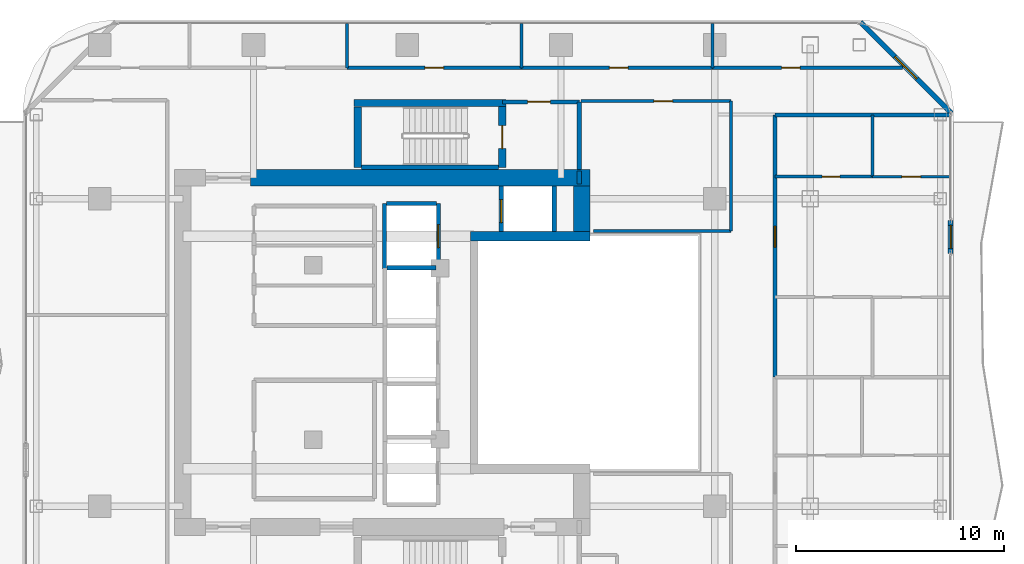
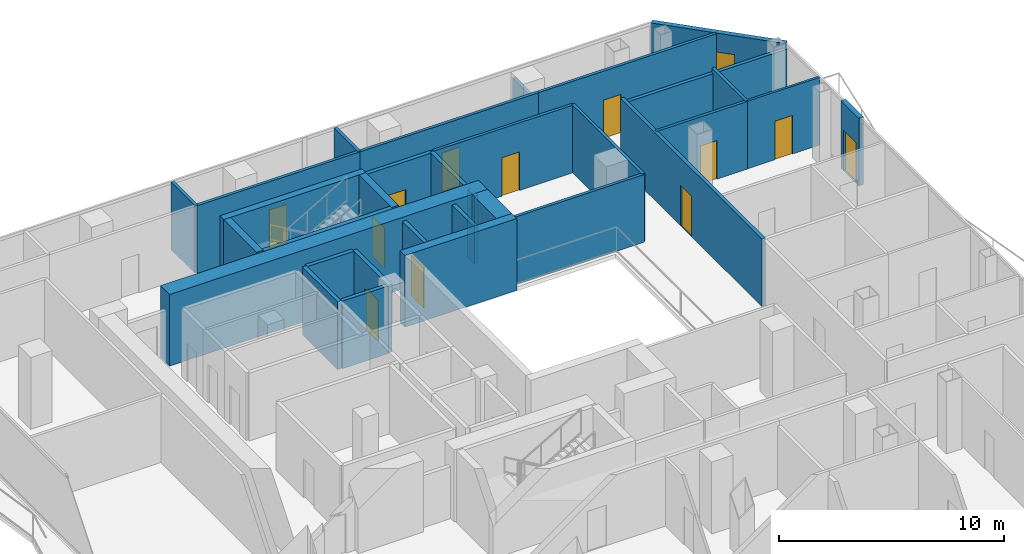
# One storey, part 23 of 27: 32 walls, 12 doors, 1 window, 13 openings.
"""IFC4 building model written with IfcOpenShell, lengths in metres."""

from ifc_helpers import new_model, si_unit, direction, frame, frame_2d, origin, place, context, subcontext, project, spatial, rectangle, extrude, material, layer, layer_set, type_object, element, fill, save


model = new_model("IFC4")

# Units and contexts
model_context = context("Model", 3, precision=1e-05, world=origin(), true_north=direction((0.0, 1.0)))
body_context = subcontext(model_context, "Body", "Model", "MODEL_VIEW")
ifc_project = project(units=[si_unit("LENGTHUNIT", "METRE"), si_unit("AREAUNIT", "SQUARE_METRE"), si_unit("VOLUMEUNIT", "CUBIC_METRE"), si_unit("PLANEANGLEUNIT", "RADIAN"), si_unit("MASSUNIT", "GRAM", prefix="KILO")], contexts=[model_context])

# Site, building, storey
site_placement = place(None, origin())
site = spatial("IfcSite", under=ifc_project, at=site_placement, CompositionType="ELEMENT")
building_placement = place(site_placement, origin())
building = spatial("IfcBuilding", under=site, at=building_placement, Name="Khorvyn Point Tower", CompositionType="ELEMENT")
storey_placement = place(building_placement, frame((0.0, 0.0, 227.39990234375)))
storey = spatial("IfcBuildingStorey", under=building, at=storey_placement, Name="L56", CompositionType="ELEMENT", Elevation=227.39990234375)

# Wall, opening, door
ifc_material_1 = material(Name="Double acoustic gypsum on twin steel stud", Category="steel")
ifc_layer_1 = layer(ifc_material_1, 0.179931640625)
ifc_layer_set_1 = layer_set([ifc_layer_1], Name="Acoustic Double-Stud Apartment Demising Wall 180")
wall_type_1 = type_object("IfcWallType", Name="Acoustic Double-Stud Apartment Demising Wall 180", PredefinedType="PARTITIONING", material=ifc_layer_set_1)
wall_1_placement = place(storey_placement, frame((17.699951171875, -1.193115234375, 0.0), z_axis=(0.0, 0.0, 1.0), x_axis=(0.0, 1.0, 0.0)))
wall_1 = element("IfcWall", 1, at=wall_1_placement, inside=storey, type_object=wall_type_1, Name="Wall", PredefinedType="PARTITIONING", context=body_context, shape_type="SweptSolid", body=[
    extrude(rectangle(XDim=12.623046875, YDim=0.179931640625, at=frame_2d((6.3115234375, 0.0))), origin(), (0.0, 0.0, 1.0), 3.68017578125),
])
opening_1_placement = place(wall_1_placement, frame((6.260009765625, 0.0, 0.0)))
opening_1 = element("IfcOpeningElement", 2, at=opening_1_placement, cuts=wall_1, Name="Opening ID-AP60", PredefinedType="OPENING", context=body_context, shape_type="SweptSolid", body=[
    extrude(rectangle(XDim=1.0, YDim=2.199951171875, at=frame_2d((0.5, 1.10009765625))), frame((0.0, 0.099853515625, 0.0), z_axis=(0.0, -1.0, 0.0), x_axis=(1.0, 0.0, 0.0)), (0.0, 0.0, 1.0), 0.199951171875),
])
ifc_material_2 = material(Name="Engineered hardwood fire-rated leaf", Category="wood")
door_type_1 = type_object("IfcDoorType", Name="Acoustic Solid-Core Timber Apartment Entrance Door 1000x2200", OperationType="NOTDEFINED", PredefinedType="DOOR", material=ifc_material_2)
door_1_placement = place(opening_1_placement, origin())
door_1 = element("IfcDoor", 3, at=door_1_placement, inside=storey, type_object=door_type_1, Name="Door", OperationType="SINGLE_SWING_RIGHT", OverallHeight=2.199951171875, OverallWidth=1.0, PredefinedType="DOOR", context=body_context, shape_type="SweptSolid", body=[
    extrude(rectangle(XDim=1.0, YDim=2.199951171875, at=frame_2d((0.5, 1.10009765625))), frame((0.0, 0.02490234375, 0.0), z_axis=(0.0, -1.0, 0.0), x_axis=(1.0, 0.0, 0.0)), (0.0, 0.0, 1.0), 0.050048828125),
])
fill(opening_1, door_1)

# Wall
wall_2_placement = place(storey_placement, frame((17.699951171875, 11.429931640625, 0.0), z_axis=(0.0, 0.0, 1.0), x_axis=(1.0, 0.0, 0.0)))
element("IfcWall", 4, at=wall_2_placement, inside=storey, type_object=wall_type_1, Name="Wall", PredefinedType="PARTITIONING", context=body_context, shape_type="SweptSolid", body=[
    extrude(rectangle(XDim=8.429931640625, YDim=0.179931640625, at=frame_2d((4.21484375, 0.0))), origin(), (0.0, 0.0, 1.0), 3.420166015625),
])

# Wall, opening, door
ifc_material_3 = material(Name="Pale anodised aluminium rainscreen on steel stud", Category="steel")
ifc_layer_2 = layer(ifc_material_3, 0.239990234375)
ifc_layer_set_2 = layer_set([ifc_layer_2], Name="Anodised Aluminium Insulated Corner Spandrel Wall 240")
wall_type_2 = type_object("IfcWallType", Name="Anodised Aluminium Insulated Corner Spandrel Wall 240", PredefinedType="SOLIDWALL", material=ifc_layer_set_2)
wall_3_placement = place(storey_placement, frame((26.14990234375, 6.35205078125, 0.0), z_axis=(0.0, 0.0, 1.0), x_axis=(0.0, -1.0, 0.0)))
wall_3 = element("IfcWall", 5, at=wall_3_placement, inside=storey, type_object=wall_type_2, Name="L56 East Outdoor Threshold Wall", PredefinedType="SOLIDWALL", context=body_context, shape_type="SweptSolid", body=[
    extrude(rectangle(XDim=1.580078125, YDim=0.239990234375, at=frame_2d((0.7900390625, 0.0))), origin(), (0.0, 0.0, 1.0), 3.68017578125),
])
opening_2_placement = place(wall_3_placement, frame((0.239990234375, 0.0, 0.0)))
opening_2 = element("IfcOpeningElement", 6, at=opening_2_placement, cuts=wall_3, Name="Opening BD-1122", PredefinedType="OPENING", context=body_context, shape_type="SweptSolid", body=[
    extrude(rectangle(XDim=1.10009765625, YDim=2.199951171875, at=frame_2d((0.550048828125, 1.10009765625))), frame((0.0, 0.1298828125, 0.0), z_axis=(0.0, -1.0, 0.0), x_axis=(1.0, 0.0, 0.0)), (0.0, 0.0, 1.0), 0.260009765625),
])
ifc_material_4 = material(Name="Anodised aluminium 6063-T6 and laminated Low-E glass", Category="aluminium")
door_type_2 = type_object("IfcDoorType", Name="Glazed Balcony and Terrace Threshold Door 1100x2200", OperationType="NOTDEFINED", PredefinedType="DOOR", material=ifc_material_4)
door_2_placement = place(opening_2_placement, origin())
door_2 = element("IfcDoor", 7, at=door_2_placement, inside=storey, type_object=door_type_2, Name="L56 East Glazed Balcony Outdoor Door", OperationType="SINGLE_SWING_LEFT", OverallHeight=2.199951171875, OverallWidth=1.10009765625, PredefinedType="DOOR", context=body_context, shape_type="SweptSolid", body=[
    extrude(rectangle(XDim=1.10009765625, YDim=2.199951171875, at=frame_2d((0.550048828125, 1.10009765625))), frame((0.0, 0.02490234375, 0.0), z_axis=(0.0, -1.0, 0.0), x_axis=(1.0, 0.0, 0.0)), (0.0, 0.0, 1.0), 0.050048828125),
])
fill(opening_2, door_2)

# Wall, opening, window
wall_4_placement = place(storey_placement, frame((21.8076171875, 15.892333984375, 0.0), z_axis=(0.0, 0.0, 1.0), x_axis=(0.707106781187, -0.707106781187, 0.0)))
wall_4 = element("IfcWall", 8, at=wall_4_placement, inside=storey, type_object=wall_type_2, Name="L56 Rounded Corner Wall NE", PredefinedType="SOLIDWALL", context=body_context, shape_type="SweptSolid", body=[
    extrude(rectangle(XDim=6.200927734375, YDim=0.239990234375, at=frame_2d((3.1005859375, 0.0))), origin(), (0.0, 0.0, 1.0), 3.68017578125),
])
opening_3_placement = place(wall_4_placement, frame((2.3505859375, 0.0, 0.800048828125)))
opening_3 = element("IfcOpeningElement", 9, at=opening_3_placement, cuts=wall_4, Name="Opening WN-1518", PredefinedType="OPENING", context=body_context, shape_type="SweptSolid", body=[
    extrude(rectangle(XDim=1.5, YDim=1.85009765625, at=frame_2d((0.75, 0.925048828125))), frame((0.0, 0.1298828125, 0.0), z_axis=(0.0, -1.0, 0.0), x_axis=(1.0, 0.0, 0.0)), (0.0, 0.0, 1.0), 0.260009765625),
])
window_type = type_object("IfcWindowType", Name="Anodised Aluminium Rounded-Corner Panoramic Window 1500x1850", PartitioningType="SINGLE_PANEL", PredefinedType="WINDOW", material=ifc_material_4)
window_placement = place(opening_3_placement, origin())
window = element("IfcWindow", 10, at=window_placement, inside=storey, type_object=window_type, Name="L56 Corner Panoramic Window NE", OverallHeight=1.85009765625, OverallWidth=1.5, PartitioningType="SINGLE_PANEL", PredefinedType="WINDOW", context=body_context, shape_type="SweptSolid", body=[
    extrude(rectangle(XDim=1.5, YDim=1.85009765625, at=frame_2d((0.75, 0.925048828125))), frame((0.0, 0.030029296875, 0.0), z_axis=(0.0, -1.0, 0.0), x_axis=(1.0, 0.0, 0.0)), (0.0, 0.0, 1.0), 0.06005859375),
])
fill(opening_3, window)

# Wall
ifc_material_5 = material(Name="Concrete C40/50", Category="concrete")
ifc_layer_3 = layer(ifc_material_5, 0.449951171875)
ifc_layer_set_3 = layer_set([ifc_layer_3], Name="Concrete C40/50 Core Shear Wall 450")
wall_type_3 = type_object("IfcWallType", Name="Concrete C40/50 Core Shear Wall 450", PredefinedType="SHEAR", material=ifc_layer_set_3)
wall_5_placement = place(storey_placement, frame((3.044921875, 5.60009765625, 0.0), z_axis=(0.0, 0.0, 1.0), x_axis=(1.0, 0.0, 0.0)))
element("IfcWall", 11, at=wall_5_placement, inside=storey, type_object=wall_type_3, Name="Wall", PredefinedType="SHEAR", context=body_context, shape_type="SweptSolid", body=[
    extrude(rectangle(XDim=5.755126953125, YDim=0.449951171875, at=frame_2d((2.87744140625, 0.0))), origin(), (0.0, 0.0, 1.0), 3.900146484375),
])

# Wall, opening, door
ifc_layer_4 = layer(ifc_material_5, 0.199951171875)
ifc_layer_set_4 = layer_set([ifc_layer_4], Name="Concrete C40/50 Fire-Lobby Compartment Wall 200")
wall_type_4 = type_object("IfcWallType", Name="Concrete C40/50 Fire-Lobby Compartment Wall 200", PredefinedType="SOLIDWALL", material=ifc_layer_set_4)
wall_6_placement = place(storey_placement, frame((4.580078125, 12.06005859375, 0.0), z_axis=(0.0, 0.0, 1.0), x_axis=(1.0, 0.0, 0.0)))
wall_6 = element("IfcWall", 12, at=wall_6_placement, inside=storey, type_object=wall_type_4, Name="Wall", PredefinedType="SOLIDWALL", context=body_context, shape_type="SweptSolid", body=[
    extrude(rectangle(XDim=3.699951171875, YDim=0.199951171875, at=frame_2d((1.85009765625, 0.0))), origin(), (0.0, 0.0, 1.0), 3.68017578125),
])
opening_4_placement = place(wall_6_placement, frame((1.21240234375, 0.0, 0.0)))
opening_4 = element("IfcOpeningElement", 13, at=opening_4_placement, cuts=wall_6, Name="Opening ID-FL90", PredefinedType="OPENING", context=body_context, shape_type="SweptSolid", body=[
    extrude(rectangle(XDim=1.10009765625, YDim=2.14990234375, at=frame_2d((0.550048828125, 1.074951171875))), frame((0.0, 0.10986328125, 0.0), z_axis=(0.0, -1.0, 0.0), x_axis=(1.0, 0.0, 0.0)), (0.0, 0.0, 1.0), 0.219970703125),
])
ifc_material_6 = material(Name="Galvanised powder-coated steel", Category="steel")
door_type_3 = type_object("IfcDoorType", Name="Fire-Rated Steel Lobby and Stair Door 1100x2150", OperationType="NOTDEFINED", PredefinedType="DOOR", material=ifc_material_6)
door_3_placement = place(opening_4_placement, origin())
door_3 = element("IfcDoor", 14, at=door_3_placement, inside=storey, type_object=door_type_3, Name="Door", OperationType="SINGLE_SWING_RIGHT", OverallHeight=2.14990234375, OverallWidth=1.10009765625, PredefinedType="DOOR", context=body_context, shape_type="SweptSolid", body=[
    extrude(rectangle(XDim=1.10009765625, YDim=2.14990234375, at=frame_2d((0.550048828125, 1.074951171875))), frame((0.0, 0.02490234375, 0.0), z_axis=(0.0, -1.0, 0.0), x_axis=(1.0, 0.0, 0.0)), (0.0, 0.0, 1.0), 0.050048828125),
])
fill(opening_4, door_3)

# Walls
wall_7_placement = place(storey_placement, frame((8.280029296875, 8.800048828125, 0.0), z_axis=(0.0, 0.0, 1.0), x_axis=(0.0, 1.0, 0.0)))
element("IfcWall", 15, at=wall_7_placement, inside=storey, type_object=wall_type_4, Name="Wall", PredefinedType="SOLIDWALL", context=body_context, shape_type="SweptSolid", body=[
    extrude(rectangle(XDim=3.260009765625, YDim=0.199951171875, at=frame_2d((1.6298828125, 0.0))), origin(), (0.0, 0.0, 1.0), 3.68017578125),
])
wall_8_placement = place(storey_placement, frame((8.280029296875, 8.10009765625, 0.0), z_axis=(0.0, 0.0, 1.0), x_axis=(0.0, 1.0, 0.0)))
element("IfcWall", 16, at=wall_8_placement, inside=storey, type_object=wall_type_4, Name="Wall", PredefinedType="SOLIDWALL", context=body_context, shape_type="SweptSolid", body=[
    extrude(rectangle(XDim=0.625, YDim=0.199951171875, at=frame_2d((0.3125, 0.0))), origin(), (0.0, 0.0, 1.0), 3.68017578125),
])
ifc_layer_5 = layer(ifc_material_5, 0.25)
ifc_layer_set_5 = layer_set([ifc_layer_5], Name="Concrete C40/50 Stair Inner Cheek Structural Wall 250")
wall_type_5 = type_object("IfcWallType", Name="Concrete C40/50 Stair Inner Cheek Structural Wall 250", PredefinedType="SHEAR", material=ifc_layer_set_5)
wall_9_placement = place(storey_placement, frame((-2.199951171875, 8.91259765625, 0.0), z_axis=(0.0, 0.0, 1.0), x_axis=(1.0, 0.0, 0.0)))
element("IfcWall", 17, at=wall_9_placement, inside=storey, type_object=wall_type_5, Name="Wall", PredefinedType="SHEAR", context=body_context, shape_type="SweptSolid", body=[
    extrude(rectangle(XDim=6.599853515625, YDim=0.22509765625, at=frame_2d((3.2998046875, 0.0))), origin(), (0.0, 0.0, 1.0), 3.900146484375),
])
ifc_layer_6 = layer(ifc_material_5, 0.35009765625)
ifc_layer_set_6 = layer_set([ifc_layer_6], Name="Concrete C40/50 Stair Shaft Structural Wall 350")
wall_type_6 = type_object("IfcWallType", Name="Concrete C40/50 Stair Shaft Structural Wall 350", PredefinedType="SHEAR", material=ifc_layer_set_6)
wall_10_placement = place(storey_placement, frame((-2.554931640625, 12.0, 0.0), z_axis=(0.0, 0.0, 1.0), x_axis=(1.0, 0.0, 0.0)))
element("IfcWall", 18, at=wall_10_placement, inside=storey, type_object=wall_type_6, Name="L56 ST-02 North Shaft Wall", PredefinedType="SHEAR", context=body_context, shape_type="SweptSolid", body=[
    extrude(rectangle(XDim=7.309814453125, YDim=0.35009765625, at=frame_2d((3.65478515625, 0.0))), origin(), (0.0, 0.0, 1.0), 3.900146484375),
])
wall_11_placement = place(storey_placement, frame((-2.3798828125, 8.89990234375, 0.0), z_axis=(0.0, 0.0, 1.0), x_axis=(0.0, 1.0, 0.0)))
element("IfcWall", 19, at=wall_11_placement, inside=storey, type_object=wall_type_6, Name="L56 ST-02 West Shaft Wall", PredefinedType="SHEAR", context=body_context, shape_type="SweptSolid", body=[
    extrude(rectangle(XDim=2.925048828125, YDim=0.35009765625, at=frame_2d((1.46240234375, 0.0))), origin(), (0.0, 0.0, 1.0), 3.900146484375),
])

# Wall, opening, door
wall_12_placement = place(storey_placement, frame((4.580078125, 11.824951171875, 0.0), z_axis=(0.0, 0.0, 1.0), x_axis=(0.0, -1.0, 0.0)))
wall_12 = element("IfcWall", 20, at=wall_12_placement, inside=storey, type_object=wall_type_6, Name="L56 ST-02 East Landing Door Wall", PredefinedType="SHEAR", context=body_context, shape_type="SweptSolid", body=[
    extrude(rectangle(XDim=2.925048828125, YDim=0.35009765625, at=frame_2d((1.46240234375, 0.0))), origin(), (0.0, 0.0, 1.0), 3.900146484375),
])
opening_5_placement = place(wall_12_placement, frame((0.91259765625, 0.0, 0.0)))
opening_5 = element("IfcOpeningElement", 21, at=opening_5_placement, cuts=wall_12, Name="Opening ID-FL90", PredefinedType="OPENING", context=body_context, shape_type="SweptSolid", body=[
    extrude(rectangle(XDim=1.10009765625, YDim=2.14990234375, at=frame_2d((0.550048828125, 1.074951171875))), frame((0.0, 0.18505859375, 0.0), z_axis=(0.0, -1.0, 0.0), x_axis=(1.0, 0.0, 0.0)), (0.0, 0.0, 1.0), 0.3701171875),
])
door_4_placement = place(opening_5_placement, origin())
door_4 = element("IfcDoor", 22, at=door_4_placement, inside=storey, type_object=door_type_3, Name="L56 ST-02 Smokeproof Landing Door", OperationType="SINGLE_SWING_LEFT", OverallHeight=2.14990234375, OverallWidth=1.10009765625, PredefinedType="DOOR", context=body_context, shape_type="SweptSolid", body=[
    extrude(rectangle(XDim=1.10009765625, YDim=2.14990234375, at=frame_2d((0.550048828125, 1.074951171875))), frame((0.0, 0.02490234375, 0.0), z_axis=(0.0, -1.0, 0.0), x_axis=(1.0, 0.0, 0.0)), (0.0, 0.0, 1.0), 0.050048828125),
])
fill(opening_5, door_4)

# Walls
ifc_layer_7 = layer(ifc_material_5, 0.199951171875)
ifc_layer_set_7 = layer_set([ifc_layer_7], Name="Concrete C40/50 Structural Hoistway and Stair Shaft Wall 200")
wall_type_7 = type_object("IfcWallType", Name="Concrete C40/50 Structural Hoistway and Stair Shaft Wall 200", PredefinedType="SHEAR", material=ifc_layer_set_7)
wall_13_placement = place(storey_placement, frame((-0.97509765625, 4.074951171875, 0.0), z_axis=(0.0, 0.0, 1.0), x_axis=(1.0, 0.0, 0.0)))
element("IfcWall", 23, at=wall_13_placement, inside=storey, type_object=wall_type_7, Name="Wall", PredefinedType="SHEAR", context=body_context, shape_type="SweptSolid", body=[
    extrude(rectangle(XDim=2.35009765625, YDim=0.199951171875, at=frame_2d((1.175048828125, 0.0))), origin(), (0.0, 0.0, 1.0), 3.68017578125),
])
wall_14_placement = place(storey_placement, frame((-1.10009765625, 4.02490234375, 0.0), z_axis=(0.0, 0.0, 1.0), x_axis=(0.0, 1.0, 0.0)))
element("IfcWall", 24, at=wall_14_placement, inside=storey, type_object=wall_type_7, Name="Wall", PredefinedType="SHEAR", context=body_context, shape_type="SweptSolid", body=[
    extrude(rectangle(XDim=3.150146484375, YDim=0.199951171875, at=frame_2d((1.5751953125, 0.0))), origin(), (0.0, 0.0, 1.0), 3.68017578125),
])

# Wall, opening, door
wall_15_placement = place(storey_placement, frame((1.5, 4.02490234375, 0.0), z_axis=(0.0, 0.0, 1.0), x_axis=(0.0, 1.0, 0.0)))
wall_15 = element("IfcWall", 25, at=wall_15_placement, inside=storey, type_object=wall_type_7, Name="Wall", PredefinedType="SHEAR", context=body_context, shape_type="SweptSolid", body=[
    extrude(rectangle(XDim=3.150146484375, YDim=0.199951171875, at=frame_2d((1.5751953125, 0.0))), origin(), (0.0, 0.0, 1.0), 3.68017578125),
])
opening_6_placement = place(wall_15_placement, frame((1.02490234375, 0.0, 0.0)))
opening_6 = element("IfcOpeningElement", 26, at=opening_6_placement, cuts=wall_15, Name="Opening LD-1122", PredefinedType="OPENING", context=body_context, shape_type="SweptSolid", body=[
    extrude(rectangle(XDim=1.10009765625, YDim=2.199951171875, at=frame_2d((0.550048828125, 1.10009765625))), frame((0.0, 0.10986328125, 0.0), z_axis=(0.0, -1.0, 0.0), x_axis=(1.0, 0.0, 0.0)), (0.0, 0.0, 1.0), 0.219970703125),
])
ifc_material_7 = material(Name="Stainless steel 1.4301", Category="steel")
door_type_4 = type_object("IfcDoorType", Name="Stainless Steel Automatic Sliding Lift Landing Door 1100x2200", OperationType="SLIDING_TO_LEFT", PredefinedType="DOOR", material=ifc_material_7)
door_5_placement = place(opening_6_placement, origin())
door_5 = element("IfcDoor", 27, at=door_5_placement, inside=storey, type_object=door_type_4, Name="L56 SV-01 Sliding Lift Landing Door", OperationType="SLIDING_TO_LEFT", OverallHeight=2.199951171875, OverallWidth=1.10009765625, PredefinedType="DOOR", context=body_context, shape_type="SweptSolid", body=[
    extrude(rectangle(XDim=1.10009765625, YDim=2.199951171875, at=frame_2d((0.550048828125, 1.10009765625))), frame((0.0, 0.02490234375, 0.0), z_axis=(0.0, -1.0, 0.0), x_axis=(1.0, 0.0, 0.0)), (0.0, 0.0, 1.0), 0.050048828125),
])
fill(opening_6, door_5)

# Wall
wall_16_placement = place(storey_placement, frame((-1.0, 7.175048828125, 0.0), z_axis=(0.0, 0.0, 1.0), x_axis=(1.0, 0.0, 0.0)))
element("IfcWall", 28, at=wall_16_placement, inside=storey, type_object=wall_type_7, Name="Wall", PredefinedType="SHEAR", context=body_context, shape_type="SweptSolid", body=[
    extrude(rectangle(XDim=2.39990234375, YDim=0.199951171875, at=frame_2d((1.199951171875, 0.0))), origin(), (0.0, 0.0, 1.0), 3.68017578125),
])

# Wall, opening, door
wall_17_placement = place(storey_placement, frame((4.52490234375, 5.824951171875, 0.0), z_axis=(0.0, 0.0, 1.0), x_axis=(0.0, 1.0, 0.0)))
wall_17 = element("IfcWall", 29, at=wall_17_placement, inside=storey, type_object=wall_type_7, Name="Wall", PredefinedType="SHEAR", context=body_context, shape_type="SweptSolid", body=[
    extrude(rectangle(XDim=2.175048828125, YDim=0.199951171875, at=frame_2d((1.08740234375, 0.0))), origin(), (0.0, 0.0, 1.0), 3.68017578125),
])
opening_7_placement = place(wall_17_placement, frame((0.425048828125, 0.0, 0.0)))
opening_7 = element("IfcOpeningElement", 30, at=opening_7_placement, cuts=wall_17, Name="Opening LD-1122", PredefinedType="OPENING", context=body_context, shape_type="SweptSolid", body=[
    extrude(rectangle(XDim=1.10009765625, YDim=2.199951171875, at=frame_2d((0.550048828125, 1.10009765625))), frame((0.0, 0.10986328125, 0.0), z_axis=(0.0, -1.0, 0.0), x_axis=(1.0, 0.0, 0.0)), (0.0, 0.0, 1.0), 0.219970703125),
])
door_6_placement = place(opening_7_placement, origin())
door_6 = element("IfcDoor", 31, at=door_6_placement, inside=storey, type_object=door_type_4, Name="L56 FF-02 Sliding Lift Landing Door", OperationType="SLIDING_TO_LEFT", OverallHeight=2.199951171875, OverallWidth=1.10009765625, PredefinedType="DOOR", context=body_context, shape_type="SweptSolid", body=[
    extrude(rectangle(XDim=1.10009765625, YDim=2.199951171875, at=frame_2d((0.550048828125, 1.10009765625))), frame((0.0, 0.02490234375, 0.0), z_axis=(0.0, -1.0, 0.0), x_axis=(1.0, 0.0, 0.0)), (0.0, 0.0, 1.0), 0.050048828125),
])
fill(opening_7, door_6)

# Walls
wall_18_placement = place(storey_placement, frame((7.074951171875, 5.824951171875, 0.0), z_axis=(0.0, 0.0, 1.0), x_axis=(0.0, 1.0, 0.0)))
element("IfcWall", 32, at=wall_18_placement, inside=storey, type_object=wall_type_7, Name="Wall", PredefinedType="SHEAR", context=body_context, shape_type="SweptSolid", body=[
    extrude(rectangle(XDim=2.175048828125, YDim=0.199951171875, at=frame_2d((1.08740234375, 0.0))), origin(), (0.0, 0.0, 1.0), 3.68017578125),
])
ifc_material_8 = material(Name="Concrete C45/55", Category="concrete")
ifc_layer_8 = layer(ifc_material_8, 0.800048828125)
ifc_layer_set_8 = layer_set([ifc_layer_8], Name="Concrete C45/55 Core Shear Wall 800")
wall_type_8 = type_object("IfcWallType", Name="Concrete C45/55 Core Shear Wall 800", PredefinedType="SHEAR", material=ifc_layer_set_8)
wall_19_placement = place(storey_placement, frame((-7.550048828125, 8.39990234375, 0.0), z_axis=(0.0, 0.0, 1.0), x_axis=(1.0, 0.0, 0.0)))
element("IfcWall", 33, at=wall_19_placement, inside=storey, type_object=wall_type_8, Name="Wall", PredefinedType="SHEAR", context=body_context, shape_type="SweptSolid", body=[
    extrude(rectangle(XDim=16.35009765625, YDim=0.800048828125, at=frame_2d((8.175048828125, 0.0))), origin(), (0.0, 0.0, 1.0), 3.900146484375),
])
wall_20_placement = place(storey_placement, frame((8.39990234375, 5.824951171875, 0.0), z_axis=(0.0, 0.0, 1.0), x_axis=(0.0, 1.0, 0.0)))
element("IfcWall", 34, at=wall_20_placement, inside=storey, type_object=wall_type_8, Name="Wall", PredefinedType="SHEAR", context=body_context, shape_type="SweptSolid", body=[
    extrude(rectangle(XDim=2.175048828125, YDim=0.800048828125, at=frame_2d((1.08740234375, 0.0))), origin(), (0.0, 0.0, 1.0), 3.900146484375),
])

# Wall, opening, door
ifc_material_9 = material(Name="Gypsum plasterboard on steel stud", Category="steel")
ifc_layer_9 = layer(ifc_material_9, 0.1201171875)
ifc_layer_set_9 = layer_set([ifc_layer_9], Name="Gypsum Acoustic Stud Room Partition Wall 120")
wall_type_9 = type_object("IfcWallType", Name="Gypsum Acoustic Stud Room Partition Wall 120", PredefinedType="PARTITIONING", material=ifc_layer_set_9)
wall_21_placement = place(storey_placement, frame((22.39306640625, 8.4609375, 0.0), z_axis=(0.0, 0.0, 1.0), x_axis=(1.0, 0.0, 0.0)))
wall_21 = element("IfcWall", 35, at=wall_21_placement, inside=storey, type_object=wall_type_9, Name="Wall", PredefinedType="PARTITIONING", context=body_context, shape_type="SweptSolid", body=[
    extrude(rectangle(XDim=3.73681640625, YDim=0.1201171875, at=frame_2d((1.868408203125, 0.0))), origin(), (0.0, 0.0, 1.0), 3.68017578125),
])
opening_8_placement = place(wall_21_placement, frame((1.41845703125, 0.0, 0.0)))
opening_8 = element("IfcOpeningElement", 36, at=opening_8_placement, cuts=wall_21, Name="Opening ID-RM90", PredefinedType="OPENING", context=body_context, shape_type="SweptSolid", body=[
    extrude(rectangle(XDim=0.89990234375, YDim=2.10009765625, at=frame_2d((0.449951171875, 1.050048828125))), frame((0.0, 0.070068359375, 0.0), z_axis=(0.0, -1.0, 0.0), x_axis=(1.0, 0.0, 0.0)), (0.0, 0.0, 1.0), 0.14013671875),
])
ifc_material_10 = material(Name="Engineered oak veneer timber", Category="wood")
door_type_5 = type_object("IfcDoorType", Name="Flush Engineered Timber Room Door 900x2100", OperationType="NOTDEFINED", PredefinedType="DOOR", material=ifc_material_10)
door_7_placement = place(opening_8_placement, origin())
door_7 = element("IfcDoor", 37, at=door_7_placement, inside=storey, type_object=door_type_5, Name="Door", OperationType="SINGLE_SWING_RIGHT", OverallHeight=2.10009765625, OverallWidth=0.89990234375, PredefinedType="DOOR", context=body_context, shape_type="SweptSolid", body=[
    extrude(rectangle(XDim=0.89990234375, YDim=2.10009765625, at=frame_2d((0.449951171875, 1.050048828125))), frame((0.0, 0.02490234375, 0.0), z_axis=(0.0, -1.0, 0.0), x_axis=(1.0, 0.0, 0.0)), (0.0, 0.0, 1.0), 0.050048828125),
])
fill(opening_8, door_7)

ifc_material_11 = material(Name="Moisture-resistant gypsum and cement board", Category="gypsum")
ifc_layer_10 = layer(ifc_material_11, 0.14990234375)
ifc_layer_set_10 = layer_set([ifc_layer_10], Name="Moisture-Resistant Wet-Room Partition Wall 150")
wall_type_10 = type_object("IfcWallType", Name="Moisture-Resistant Wet-Room Partition Wall 150", PredefinedType="PARTITIONING", material=ifc_layer_set_10)
wall_22_placement = place(storey_placement, frame((8.360107421875, 12.10009765625, 0.0), z_axis=(0.0, 0.0, 1.0), x_axis=(1.0, 0.0, 0.0)))
wall_22 = element("IfcWall", 38, at=wall_22_placement, inside=storey, type_object=wall_type_10, Name="Wall", PredefinedType="PARTITIONING", context=body_context, shape_type="SweptSolid", body=[
    extrude(rectangle(XDim=7.219970703125, YDim=0.14990234375, at=frame_2d((3.60986328125, 0.0))), origin(), (0.0, 0.0, 1.0), 3.68017578125),
])
opening_9_placement = place(wall_22_placement, frame((3.512939453125, 0.0, 0.0)))
opening_9 = element("IfcOpeningElement", 39, at=opening_9_placement, cuts=wall_22, Name="Opening ID-RM90", PredefinedType="OPENING", context=body_context, shape_type="SweptSolid", body=[
    extrude(rectangle(XDim=0.89990234375, YDim=2.10009765625, at=frame_2d((0.449951171875, 1.050048828125))), frame((0.0, 0.0849609375, 0.0), z_axis=(0.0, -1.0, 0.0), x_axis=(1.0, 0.0, 0.0)), (0.0, 0.0, 1.0), 0.169921875),
])
door_8_placement = place(opening_9_placement, origin())
door_8 = element("IfcDoor", 40, at=door_8_placement, inside=storey, type_object=door_type_5, Name="Door", OperationType="SINGLE_SWING_LEFT", OverallHeight=2.10009765625, OverallWidth=0.89990234375, PredefinedType="DOOR", context=body_context, shape_type="SweptSolid", body=[
    extrude(rectangle(XDim=0.89990234375, YDim=2.10009765625, at=frame_2d((0.449951171875, 1.050048828125))), frame((0.0, 0.02490234375, 0.0), z_axis=(0.0, -1.0, 0.0), x_axis=(1.0, 0.0, 0.0)), (0.0, 0.0, 1.0), 0.050048828125),
])
fill(opening_9, door_8)

wall_23_placement = place(storey_placement, frame((-2.888916015625, 13.699951171875, 0.0), z_axis=(0.0, 0.0, 1.0), x_axis=(1.0, 0.0, 0.0)))
wall_23 = element("IfcWall", 41, at=wall_23_placement, inside=storey, type_object=wall_type_10, Name="Wall", PredefinedType="PARTITIONING", context=body_context, shape_type="SweptSolid", body=[
    extrude(rectangle(XDim=8.386962890625, YDim=0.14990234375, at=frame_2d((4.193359375, 0.0))), origin(), (0.0, 0.0, 1.0), 3.68017578125),
])
opening_10_placement = place(wall_23_placement, frame((3.743408203125, 0.0, 0.0)))
opening_10 = element("IfcOpeningElement", 42, at=opening_10_placement, cuts=wall_23, Name="Opening ID-RM90", PredefinedType="OPENING", context=body_context, shape_type="SweptSolid", body=[
    extrude(rectangle(XDim=0.89990234375, YDim=2.10009765625, at=frame_2d((0.449951171875, 1.050048828125))), frame((0.0, 0.0849609375, 0.0), z_axis=(0.0, -1.0, 0.0), x_axis=(1.0, 0.0, 0.0)), (0.0, 0.0, 1.0), 0.169921875),
])
door_9_placement = place(opening_10_placement, origin())
door_9 = element("IfcDoor", 43, at=door_9_placement, inside=storey, type_object=door_type_5, Name="Door", OperationType="SINGLE_SWING_RIGHT", OverallHeight=2.10009765625, OverallWidth=0.89990234375, PredefinedType="DOOR", context=body_context, shape_type="SweptSolid", body=[
    extrude(rectangle(XDim=0.89990234375, YDim=2.10009765625, at=frame_2d((0.449951171875, 1.050048828125))), frame((0.0, 0.02490234375, 0.0), z_axis=(0.0, -1.0, 0.0), x_axis=(1.0, 0.0, 0.0)), (0.0, 0.0, 1.0), 0.050048828125),
])
fill(opening_10, door_9)

wall_24_placement = place(storey_placement, frame((5.498046875, 13.699951171875, 0.0), z_axis=(0.0, 0.0, 1.0), x_axis=(1.0, 0.0, 0.0)))
wall_24 = element("IfcWall", 44, at=wall_24_placement, inside=storey, type_object=wall_type_10, Name="Wall", PredefinedType="PARTITIONING", context=body_context, shape_type="SweptSolid", body=[
    extrude(rectangle(XDim=9.18603515625, YDim=0.14990234375, at=frame_2d((4.593017578125, 0.0))), origin(), (0.0, 0.0, 1.0), 3.68017578125),
])
opening_11_placement = place(wall_24_placement, frame((4.2314453125, 0.0, 0.0)))
opening_11 = element("IfcOpeningElement", 45, at=opening_11_placement, cuts=wall_24, Name="Opening ID-RM90", PredefinedType="OPENING", context=body_context, shape_type="SweptSolid", body=[
    extrude(rectangle(XDim=0.89990234375, YDim=2.10009765625, at=frame_2d((0.449951171875, 1.050048828125))), frame((0.0, 0.0849609375, 0.0), z_axis=(0.0, -1.0, 0.0), x_axis=(1.0, 0.0, 0.0)), (0.0, 0.0, 1.0), 0.169921875),
])
door_10_placement = place(opening_11_placement, origin())
door_10 = element("IfcDoor", 46, at=door_10_placement, inside=storey, type_object=door_type_5, Name="Door", OperationType="SINGLE_SWING_LEFT", OverallHeight=2.10009765625, OverallWidth=0.89990234375, PredefinedType="DOOR", context=body_context, shape_type="SweptSolid", body=[
    extrude(rectangle(XDim=0.89990234375, YDim=2.10009765625, at=frame_2d((0.449951171875, 1.050048828125))), frame((0.0, 0.02490234375, 0.0), z_axis=(0.0, -1.0, 0.0), x_axis=(1.0, 0.0, 0.0)), (0.0, 0.0, 1.0), 0.050048828125),
])
fill(opening_11, door_10)

wall_25_placement = place(storey_placement, frame((14.68408203125, 13.699951171875, 0.0), z_axis=(0.0, 0.0, 1.0), x_axis=(1.0, 0.0, 0.0)))
wall_25 = element("IfcWall", 47, at=wall_25_placement, inside=storey, type_object=wall_type_10, Name="Wall", PredefinedType="PARTITIONING", context=body_context, shape_type="SweptSolid", body=[
    extrude(rectangle(XDim=9.14599609375, YDim=0.14990234375, at=frame_2d((4.572998046875, 0.0))), origin(), (0.0, 0.0, 1.0), 3.68017578125),
])
opening_12_placement = place(wall_25_placement, frame((3.330322265625, 0.0, 0.0)))
opening_12 = element("IfcOpeningElement", 48, at=opening_12_placement, cuts=wall_25, Name="Opening ID-RM90", PredefinedType="OPENING", context=body_context, shape_type="SweptSolid", body=[
    extrude(rectangle(XDim=0.89990234375, YDim=2.10009765625, at=frame_2d((0.449951171875, 1.050048828125))), frame((0.0, 0.0849609375, 0.0), z_axis=(0.0, -1.0, 0.0), x_axis=(1.0, 0.0, 0.0)), (0.0, 0.0, 1.0), 0.169921875),
])
door_11_placement = place(opening_12_placement, origin())
door_11 = element("IfcDoor", 49, at=door_11_placement, inside=storey, type_object=door_type_5, Name="Door", OperationType="SINGLE_SWING_RIGHT", OverallHeight=2.10009765625, OverallWidth=0.89990234375, PredefinedType="DOOR", context=body_context, shape_type="SweptSolid", body=[
    extrude(rectangle(XDim=0.89990234375, YDim=2.10009765625, at=frame_2d((0.449951171875, 1.050048828125))), frame((0.0, 0.02490234375, 0.0), z_axis=(0.0, -1.0, 0.0), x_axis=(1.0, 0.0, 0.0)), (0.0, 0.0, 1.0), 0.050048828125),
])
fill(opening_12, door_11)

wall_26_placement = place(storey_placement, frame((17.699951171875, 8.4609375, 0.0), z_axis=(0.0, 0.0, 1.0), x_axis=(1.0, 0.0, 0.0)))
wall_26 = element("IfcWall", 50, at=wall_26_placement, inside=storey, type_object=wall_type_10, Name="Wall", PredefinedType="PARTITIONING", context=body_context, shape_type="SweptSolid", body=[
    extrude(rectangle(XDim=4.693115234375, YDim=0.14990234375, at=frame_2d((2.3466796875, 0.0))), origin(), (0.0, 0.0, 1.0), 3.68017578125),
])
opening_13_placement = place(wall_26_placement, frame((2.273681640625, 0.0, 0.0)))
opening_13 = element("IfcOpeningElement", 51, at=opening_13_placement, cuts=wall_26, Name="Opening ID-WC85", PredefinedType="OPENING", context=body_context, shape_type="SweptSolid", body=[
    extrude(rectangle(XDim=0.85009765625, YDim=2.10009765625, at=frame_2d((0.425048828125, 1.050048828125))), frame((0.0, 0.0849609375, 0.0), z_axis=(0.0, -1.0, 0.0), x_axis=(1.0, 0.0, 0.0)), (0.0, 0.0, 1.0), 0.169921875),
])
ifc_material_12 = material(Name="High-pressure laminate on moisture-resistant core", Category="wood")
door_type_6 = type_object("IfcDoorType", Name="Moisture-Resistant Accessible Washroom Door 850x2100", OperationType="NOTDEFINED", PredefinedType="DOOR", material=ifc_material_12)
door_12_placement = place(opening_13_placement, origin())
door_12 = element("IfcDoor", 52, at=door_12_placement, inside=storey, type_object=door_type_6, Name="Door", OperationType="SINGLE_SWING_LEFT", OverallHeight=2.10009765625, OverallWidth=0.85009765625, PredefinedType="DOOR", context=body_context, shape_type="SweptSolid", body=[
    extrude(rectangle(XDim=0.85009765625, YDim=2.10009765625, at=frame_2d((0.425048828125, 1.050048828125))), frame((0.0, 0.02490234375, 0.0), z_axis=(0.0, -1.0, 0.0), x_axis=(1.0, 0.0, 0.0)), (0.0, 0.0, 1.0), 0.050048828125),
])
fill(opening_13, door_12)

# Walls
wall_27_placement = place(storey_placement, frame((15.580078125, 5.85009765625, 0.0), z_axis=(0.0, 0.0, 1.0), x_axis=(0.0, 1.0, 0.0)))
element("IfcWall", 53, at=wall_27_placement, inside=storey, type_object=wall_type_10, Name="Wall", PredefinedType="PARTITIONING", context=body_context, shape_type="SweptSolid", body=[
    extrude(rectangle(XDim=6.25, YDim=0.14990234375, at=frame_2d((3.125, 0.0))), origin(), (0.0, 0.0, 1.0), 3.68017578125),
])
wall_28_placement = place(storey_placement, frame((8.9599609375, 5.85009765625, 0.0), z_axis=(0.0, 0.0, 1.0), x_axis=(1.0, 0.0, 0.0)))
element("IfcWall", 54, at=wall_28_placement, inside=storey, type_object=wall_type_10, Name="Wall", PredefinedType="PARTITIONING", context=body_context, shape_type="SweptSolid", body=[
    extrude(rectangle(XDim=6.6201171875, YDim=0.14990234375, at=frame_2d((3.31005859375, 0.0))), origin(), (0.0, 0.0, 1.0), 3.68017578125),
])
for number, where, z_axis, x_axis, name in (
    (55, (-2.888916015625, 13.699951171875, 0.0), (0.0, 0.0, 1.0), (0.0, 1.0, 0.0), "Wall"),
    (56, (5.498046875, 13.699951171875, 0.0), (0.0, 0.0, 1.0), (0.0, 1.0, 0.0), "Wall"),
):
    element("IfcWall", number, at=place(storey_placement, frame(where, z_axis=z_axis, x_axis=x_axis)), inside=storey, type_object=wall_type_10, Name=name, PredefinedType="PARTITIONING", context=body_context, shape_type="SweptSolid", body=[
        extrude(rectangle(XDim=2.130126953125, YDim=0.14990234375, at=frame_2d((1.06494140625, 0.0))), origin(), (0.0, 0.0, 1.0), 3.68017578125),
    ])
wall_29_placement = place(storey_placement, frame((14.68408203125, 13.699951171875, 0.0), z_axis=(0.0, 0.0, 1.0), x_axis=(0.0, 1.0, 0.0)))
element("IfcWall", 57, at=wall_29_placement, inside=storey, type_object=wall_type_10, Name="Wall", PredefinedType="PARTITIONING", context=body_context, shape_type="SweptSolid", body=[
    extrude(rectangle(XDim=2.130126953125, YDim=0.14990234375, at=frame_2d((1.06494140625, 0.0))), origin(), (0.0, 0.0, 1.0), 3.18212890625),
])
wall_30_placement = place(storey_placement, frame((22.39306640625, 8.4609375, 0.0), z_axis=(0.0, 0.0, 1.0), x_axis=(0.0, 1.0, 0.0)))
element("IfcWall", 58, at=wall_30_placement, inside=storey, type_object=wall_type_10, Name="Wall", PredefinedType="PARTITIONING", context=body_context, shape_type="SweptSolid", body=[
    extrude(rectangle(XDim=2.968994140625, YDim=0.14990234375, at=frame_2d((1.484375, 0.0))), origin(), (0.0, 0.0, 1.0), 3.68017578125),
])

save(model, "model.ifc")
